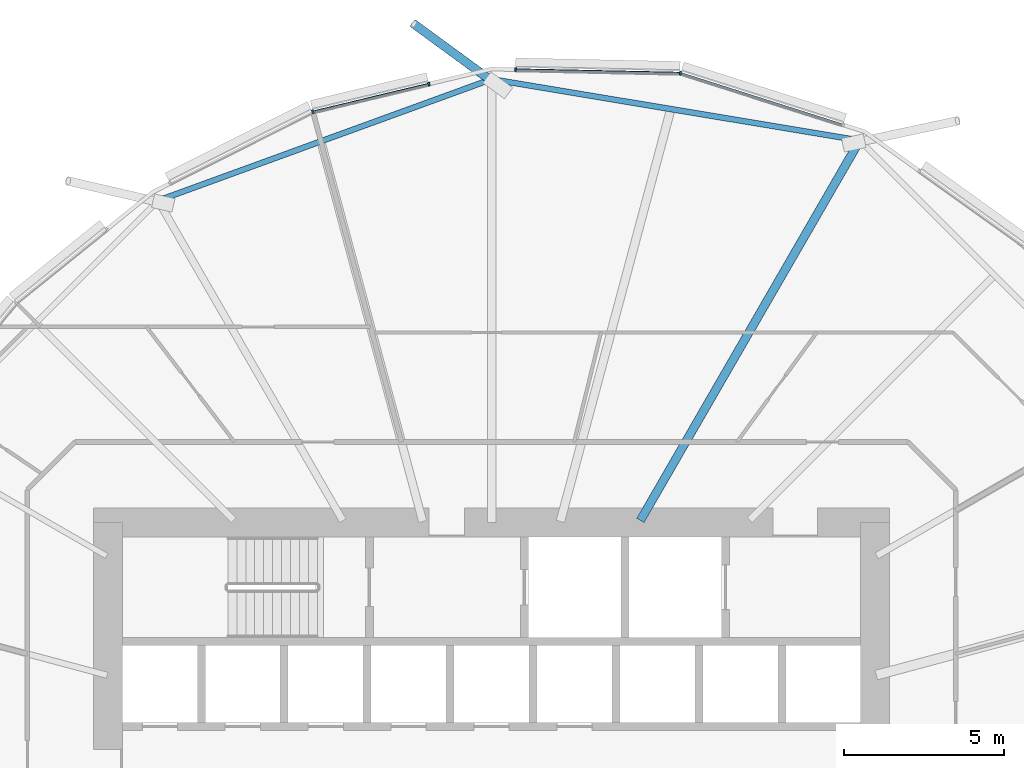
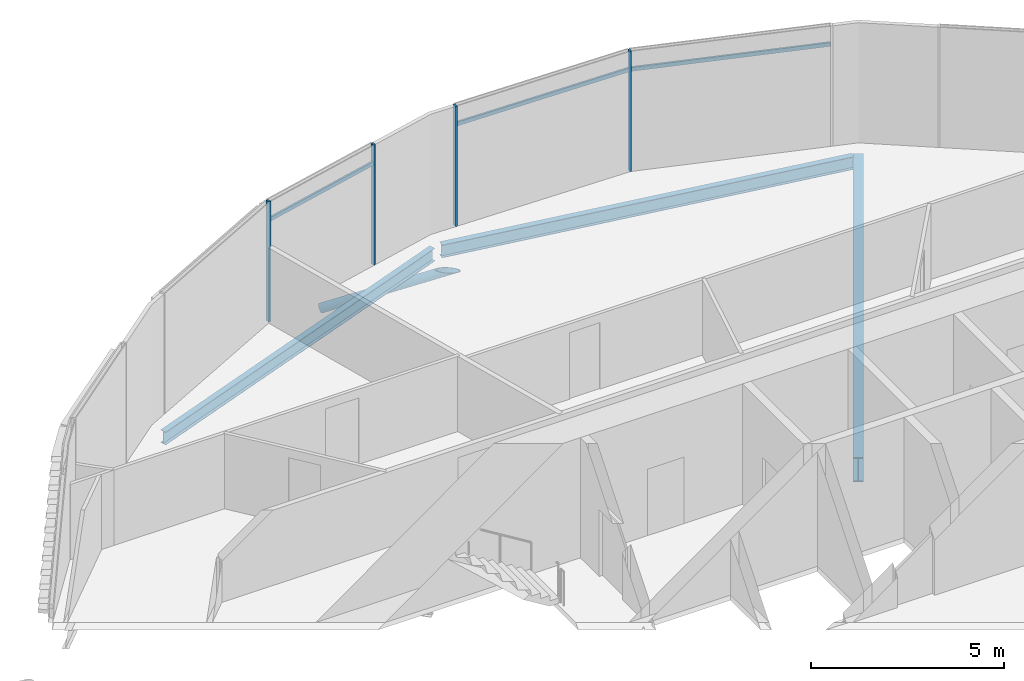
# One storey, part 17 of 38: 8 members, 3 beams, 1 element without a shape of its own.
"""IFC4 building model written with IfcOpenShell, lengths in metres."""

from ifc_helpers import new_model, si_unit, direction, frame, origin, origin_2d, place, context, subcontext, project, spatial, rectangle, hollow_circle, i_section, extrude, clip, halfspace, material, material_profile, profile_set, type_object, element, aggregate, save


model = new_model("IFC4")

# Units and contexts
model_context = context("Model", 3, precision=1e-05, world=origin(), true_north=direction((0.0, 1.0)))
body_context = subcontext(model_context, "Body", "Model", "MODEL_VIEW")
ifc_project = project(units=[si_unit("LENGTHUNIT", "METRE"), si_unit("AREAUNIT", "SQUARE_METRE"), si_unit("VOLUMEUNIT", "CUBIC_METRE"), si_unit("PLANEANGLEUNIT", "RADIAN"), si_unit("MASSUNIT", "GRAM", prefix="KILO")], contexts=[model_context])

# Site, building, storey
site_placement = place(None, origin())
site = spatial("IfcSite", under=ifc_project, at=site_placement, CompositionType="ELEMENT")
building_placement = place(site_placement, origin())
building = spatial("IfcBuilding", under=site, at=building_placement, Name="Rimbun Link Towers", CompositionType="ELEMENT")
storey_placement = place(building_placement, frame((0.0, 0.0, 71.800048828125)))
storey = spatial("IfcBuildingStorey", under=building, at=storey_placement, Name="L17", CompositionType="ELEMENT", Elevation=71.800048828125)

# Curtain wall, members
ifc_material_1 = material(Name="Aluminium 6063-T6 and low-iron glass", Category="aluminium")
curtain_wall_type = type_object("IfcCurtainWallType", Name="CW1 unitised vision wall", PredefinedType="NOTDEFINED", material=ifc_material_1)
curtain_wall_placement = place(storey_placement, origin())
curtain_wall = element("IfcCurtainWall", 1, at=curtain_wall_placement, inside=storey, type_object=curtain_wall_type, Name="CW1 L17 T2", PredefinedType="NOTDEFINED")
ifc_material_2 = material(Name="Aluminium 6063-T6", Category="aluminium")
ifc_material_profile_1 = material_profile(ifc_material_2, rectangle(XDim=0.1201171875, YDim=0.06005859375, at=origin_2d()), Name="MULLION 60X120")
ifc_profile_set_1 = profile_set([ifc_material_profile_1], Name="Aluminium 6063-T6")
member_type_1 = type_object("IfcMemberType", Name="CW1 mullion 60X120", PredefinedType="MULLION", material=ifc_profile_set_1)
member_1_placement = place(storey_placement, frame((37.656005859375, 22.06396484375, 0.0), z_axis=(0.0, 0.0, 1.0), x_axis=(0.16374422533, 0.986502827503, 0.0)))
member_1 = element("IfcMember", 2, at=member_1_placement, type_object=member_type_1, Name="CW1 mullion", PredefinedType="MULLION", context=body_context, shape_type="SweptSolid", body=[
    extrude(rectangle(XDim=0.1201171875, YDim=0.06005859375, at=origin_2d()), origin(), (0.0, 0.0, 1.0), 3.800048828125),
])
member_2_placement = place(storey_placement, frame((32.5009765625, 22.173095703125, 0.0), z_axis=(0.0, 0.0, 1.0), x_axis=(0.021059742681, 0.999778219026, 0.0)))
member_2 = element("IfcMember", 3, at=member_2_placement, type_object=member_type_1, Name="CW1 mullion", PredefinedType="MULLION", context=body_context, shape_type="SweptSolid", body=[
    extrude(rectangle(XDim=0.1201171875, YDim=0.06005859375, at=origin_2d()), origin(), (0.0, 0.0, 1.0), 3.800048828125),
])
member_3_placement = place(storey_placement, frame((26.156982421875, 20.8525390625, 0.0), z_axis=(0.0, 0.0, 1.0), x_axis=(-0.34296997, 0.939346368321, 0.0)))
member_3 = element("IfcMember", 4, at=member_3_placement, type_object=member_type_1, Name="CW1 mullion", PredefinedType="MULLION", context=body_context, shape_type="SweptSolid", body=[
    extrude(rectangle(XDim=0.1201171875, YDim=0.06005859375, at=origin_2d()), origin(), (0.0, 0.0, 1.0), 3.800048828125),
])
member_4_placement = place(storey_placement, frame((29.791015625, 21.72216796875, 0.0), z_axis=(0.0, 0.0, 1.0), x_axis=(-0.232601207201, 0.972572197016, 0.0)))
member_4 = element("IfcMember", 5, at=member_4_placement, type_object=member_type_1, Name="CW1 mullion", PredefinedType="MULLION", context=body_context, shape_type="SweptSolid", body=[
    extrude(rectangle(XDim=0.1201171875, YDim=0.06005859375, at=origin_2d()), origin(), (0.0, 0.0, 1.0), 3.800048828125),
])
ifc_material_3 = material(Name="Aluminium 6063-T6", Category="aluminium")
ifc_material_profile_2 = material_profile(ifc_material_3, rectangle(XDim=0.06005859375, YDim=0.1201171875, at=origin_2d()), Name="TRANSOM 60X120")
ifc_profile_set_2 = profile_set([ifc_material_profile_2], Name="Aluminium 6063-T6")
member_type_2 = type_object("IfcMemberType", Name="CW1 transom 60X120", PredefinedType="USERDEFINED", material=ifc_profile_set_2)
member_5_placement = place(storey_placement, frame((37.6923828125, 22.051025390625, 3.199951171875), z_axis=(0.952961021475, -0.303092876112, 0.0), x_axis=(0.303092876112, 0.952961021475, 0.0)))
member_5 = element("IfcMember", 6, at=member_5_placement, type_object=member_type_2, Name="CW1 transom", ObjectType="TRANSOM", PredefinedType="USERDEFINED", context=body_context, shape_type="SweptSolid", body=[
    extrude(rectangle(XDim=0.06005859375, YDim=0.1201171875, at=origin_2d()), origin(), (0.0, 0.0, 1.0), 5.276123046875),
])
member_6_placement = place(storey_placement, frame((32.531005859375, 22.170654296875, 3.199951171875), z_axis=(0.999778073515, -0.021066649432, 0.0), x_axis=(0.021066649432, 0.999778073515, 0.0)))
member_6 = element("IfcMember", 7, at=member_6_placement, type_object=member_type_2, Name="CW1 transom", ObjectType="TRANSOM", PredefinedType="USERDEFINED", context=body_context, shape_type="SweptSolid", body=[
    extrude(rectangle(XDim=0.06005859375, YDim=0.1201171875, at=origin_2d()), origin(), (0.0, 0.0, 1.0), 5.087646484375),
])
member_7_placement = place(storey_placement, frame((26.193359375, 20.859619140625, 3.199951171875), z_axis=(0.972573002452, 0.232597839415, 0.0), x_axis=(-0.232597839415, 0.972573002452, 0.0)))
member_7 = element("IfcMember", 8, at=member_7_placement, type_object=member_type_2, Name="CW1 transom", ObjectType="TRANSOM", PredefinedType="USERDEFINED", context=body_context, shape_type="SweptSolid", body=[
    extrude(rectangle(XDim=0.06005859375, YDim=0.1201171875, at=origin_2d()), origin(), (0.0, 0.0, 1.0), 3.66943359375),
])
aggregate(curtain_wall, [member_1, member_2, member_3, member_4, member_5, member_6, member_7])

# Member
ifc_material_4 = material(Name="Steel S355J2H", Category="steel")
ifc_material_profile_3 = material_profile(ifc_material_4, hollow_circle(Radius=0.136474609375, WallThickness=0.012451171875, at=origin_2d()), Name="CHS 273x12.5")
ifc_profile_set_3 = profile_set([ifc_material_profile_3], Name="Steel S355J2H")
member_type_3 = type_object("IfcMemberType", Name="Floor edge link CHS 273x12.5", PredefinedType="BRACE", material=ifc_profile_set_3)
member_8_placement = place(storey_placement, frame((31.75, 21.822021484375, -1.047607421875), z_axis=(-0.739304729856, 0.540940265015, -0.401013897637), x_axis=(-0.59049974547, -0.807037824764, 0.0)))
element("IfcMember", 9, at=member_8_placement, inside=storey, type_object=member_type_3, Name="Floor edge link T2 L17 03", PredefinedType="BRACE", context=body_context, shape_type="Clipping", body=[
    clip(extrude(hollow_circle(Radius=0.136474609375, WallThickness=0.012451171875, at=origin_2d()), frame((0.0, 0.0, -0.648681640625)), (0.0, 0.0, 1.0), 3.953125), halfspace(frame((0.0, 0.0, -0.3076171875), z_axis=(0.0, 0.916071969826, -0.401013897637)), False)),
])

# Beams
ifc_material_5 = material(Name="Steel S355J2", Category="steel")
ifc_material_profile_4 = material_profile(ifc_material_5, i_section(OverallWidth=0.177978515625, OverallDepth=0.406494140625, WebThickness=0.0078125, FlangeThickness=0.0126953125, at=origin_2d()), Name="UB 406x178x60")
ifc_profile_set_4 = profile_set([ifc_material_profile_4], Name="Steel S355J2")
beam_type_1 = type_object("IfcBeamType", Name="UB 406x178x60", PredefinedType="BEAM", material=ifc_profile_set_4)
beam_1_placement = place(storey_placement, frame((43.12890625, 19.977294921875, -0.36328125), z_axis=(-0.986419380736, 0.164246172888, 0.0), x_axis=(-0.164246172888, -0.986419380736, 0.0)))
element("IfcBeam", 10, at=beam_1_placement, inside=storey, type_object=beam_type_1, Name="Edge beam T2 L17 01-03", PredefinedType="BEAM", context=body_context, shape_type="SweptSolid", body=[
    extrude(i_section(OverallWidth=0.177978515625, OverallDepth=0.406494140625, WebThickness=0.0078125, FlangeThickness=0.0126953125, at=origin_2d()), origin(), (0.0, 0.0, 1.0), 11.3994140625),
])
beam_2_placement = place(storey_placement, frame((31.61572265625, 21.822998046875, -0.36328125), z_axis=(-0.939632941759, -0.342184065616, 0.0), x_axis=(0.342184065616, -0.939632941759, 0.0)))
element("IfcBeam", 11, at=beam_2_placement, inside=storey, type_object=beam_type_1, Name="Edge beam T2 L17 03-05", PredefinedType="BEAM", context=body_context, shape_type="SweptSolid", body=[
    extrude(i_section(OverallWidth=0.177978515625, OverallDepth=0.406494140625, WebThickness=0.0078125, FlangeThickness=0.0126953125, at=origin_2d()), origin(), (0.0, 0.0, 1.0), 10.844970703125),
])
ifc_material_6 = material(Name="Steel S355J2", Category="steel")
ifc_material_profile_5 = material_profile(ifc_material_6, i_section(OverallWidth=0.2666015625, OverallDepth=0.76220703125, WebThickness=0.014404296875, FlangeThickness=0.021484375, at=origin_2d()), Name="UB 762x267x173")
ifc_profile_set_5 = profile_set([ifc_material_profile_5], Name="Steel S355J2")
beam_type_2 = type_object("IfcBeamType", Name="UB 762x267x173", PredefinedType="BEAM", material=ifc_profile_set_5)
beam_3_placement = place(storey_placement, frame((36.40771484375, 8.0673828125, -0.541259765625), z_axis=(0.500007303237, 0.866021187218, 0.0), x_axis=(-0.866021187218, 0.500007303237, 0.0)))
element("IfcBeam", 12, at=beam_3_placement, inside=storey, type_object=beam_type_2, Name="Radial beam T2 L17 01", PredefinedType="BEAM", context=body_context, shape_type="SweptSolid", body=[
    extrude(i_section(OverallWidth=0.2666015625, OverallDepth=0.76220703125, WebThickness=0.014404296875, FlangeThickness=0.021484375, at=origin_2d()), origin(), (0.0, 0.0, 1.0), 13.725341796875),
])

save(model, "model.ifc")
